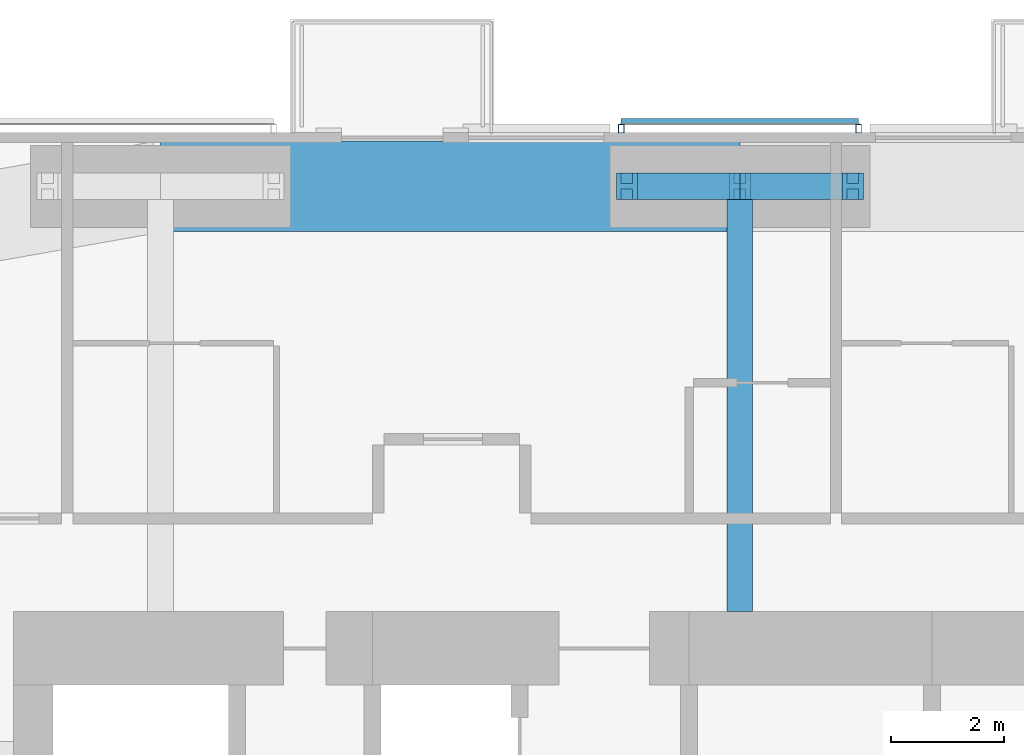
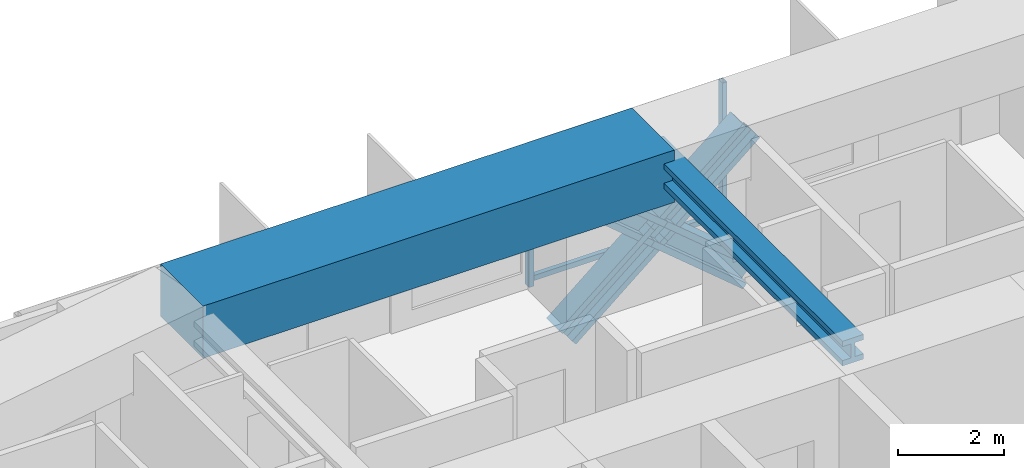
# One storey, part 11 of 22: 7 members, 2 beams, 1 element without a shape of its own.
"""IFC4 building model written with IfcOpenShell, lengths in metres."""

from ifc_helpers import new_model, si_unit, direction, frame, origin, origin_2d, place, context, subcontext, project, spatial, rectangle, hollow_rectangle, i_section, extrude, material, material_profile, profile_set, type_object, element, aggregate, save


model = new_model("IFC4")

# Units and contexts
model_context = context("Model", 3, precision=1e-05, world=origin(), true_north=direction((0.0, 1.0)))
body_context = subcontext(model_context, "Body", "Model", "MODEL_VIEW")
ifc_project = project(units=[si_unit("LENGTHUNIT", "METRE"), si_unit("AREAUNIT", "SQUARE_METRE"), si_unit("VOLUMEUNIT", "CUBIC_METRE"), si_unit("PLANEANGLEUNIT", "RADIAN"), si_unit("MASSUNIT", "GRAM", prefix="KILO")], contexts=[model_context])

# Site, building, storey
site_placement = place(None, origin())
site = spatial("IfcSite", under=ifc_project, at=site_placement, CompositionType="ELEMENT")
building_placement = place(site_placement, origin())
building = spatial("IfcBuilding", under=site, at=building_placement, Name="Jalousie Tower", CompositionType="ELEMENT")
storey_placement = place(building_placement, frame((0.0, 0.0, 161.050048828125)))
storey = spatial("IfcBuildingStorey", under=building, at=storey_placement, Name="L43", CompositionType="ELEMENT", Elevation=161.050048828125)

# Beam
ifc_material_1 = material(Name="Steel ASTM A992 Grade 50", Category="steel")
ifc_material_profile_1 = material_profile(ifc_material_1, i_section(OverallWidth=0.45458984375, OverallDepth=0.569091796875, WebThickness=0.077880859375, FlangeThickness=0.124755859375, at=origin_2d()), Name="W14X730")
ifc_profile_set_1 = profile_set([ifc_material_profile_1], Name="Steel ASTM A992 Grade 50")
beam_type_1 = type_object("IfcBeamType", Name="LEAN COLLECTOR W14X730", PredefinedType="BEAM", material=ifc_profile_set_1)
beam_1_placement = place(storey_placement, frame((32.5, 35.050048828125, 2.825439453125), z_axis=(0.0, -1.0, 0.0), x_axis=(1.0, 0.0, 0.0)))
element("IfcBeam", 1, at=beam_1_placement, inside=storey, type_object=beam_type_1, Name="Lean collector under L44", PredefinedType="BEAM", context=body_context, shape_type="SweptSolid", body=[
    extrude(i_section(OverallWidth=0.45458984375, OverallDepth=0.569091796875, WebThickness=0.077880859375, FlangeThickness=0.124755859375, at=origin_2d()), origin(), (0.0, 0.0, 1.0), 7.525146484375),
])

# Members
ifc_material_2 = material(Name="Steel ASTM A992 Grade 50", Category="steel")
ifc_material_profile_2 = material_profile(ifc_material_2, i_section(OverallWidth=0.472412109375, OverallDepth=0.5791015625, WebThickness=0.094970703125, FlangeThickness=0.1298828125, at=origin_2d()), Name="W14X808")
ifc_profile_set_2 = profile_set([ifc_material_profile_2], Name="Steel ASTM A992 Grade 50")
member_type_1 = type_object("IfcMemberType", Name="PERIMETER BRACE W14X808", PredefinedType="BRACE", material=ifc_profile_set_2)
for number, where, z_axis, x_axis, name in (
    (2, (30.5, 35.050048828125, -0.60009765625), (0.766638753323, 0.0, 0.642078672674), (0.0, 1.0, 0.0), "Perimeter brace 10 L43 part 1"),
    (3, (32.5, 35.050048828125, 1.074951171875), (0.766638753323, 0.0, 0.642078672674), (0.0, 1.0, 0.0), "Perimeter brace 10 L43 part 2"),
    (4, (34.5, 35.050048828125, -0.60009765625), (-0.766638753323, 0.0, 0.642078672674), (0.0, -1.0, 0.0), "Perimeter brace 10 L43 part 3"),
    (5, (32.5, 35.050048828125, 1.074951171875), (-0.766638753323, 0.0, 0.642078672674), (0.0, -1.0, 0.0), "Perimeter brace 10 L43 part 4"),
):
    element("IfcMember", number, at=place(storey_placement, frame(where, z_axis=z_axis, x_axis=x_axis)), inside=storey, type_object=member_type_1, Name=name, PredefinedType="BRACE", context=body_context, shape_type="SweptSolid", body=[
        extrude(i_section(OverallWidth=0.472412109375, OverallDepth=0.5791015625, WebThickness=0.094970703125, FlangeThickness=0.1298828125, at=origin_2d()), origin(), (0.0, 0.0, 1.0), 2.60888671875),
    ])

# Beam
ifc_material_3 = material(Name="Concrete f'c 40 MPa", Category="concrete")
ifc_material_profile_3 = material_profile(ifc_material_3, rectangle(XDim=1.60009765625, YDim=1.199951171875, at=origin_2d()), Name="RC 1600x1200")
ifc_profile_set_3 = profile_set([ifc_material_profile_3], Name="Concrete f'c 40 MPa")
beam_type_2 = type_object("IfcBeamType", Name="RC BEAM 1600x1200", PredefinedType="BEAM", material=ifc_profile_set_3)
beam_2_placement = place(storey_placement, frame((32.5, 35.050048828125, 2.75), z_axis=(-1.0, 0.0, 0.0), x_axis=(0.0, -1.0, 0.0)))
element("IfcBeam", 6, at=beam_2_placement, inside=storey, type_object=beam_type_2, Name="Edge band beam 10-11 under L44", PredefinedType="BEAM", context=body_context, shape_type="SweptSolid", body=[
    extrude(rectangle(XDim=1.60009765625, YDim=1.199951171875, at=origin_2d()), origin(), (0.0, 0.0, 1.0), 10.25),
])

# Curtain wall, members
ifc_material_4 = material(Name="Perforated aluminium sheet", Category="aluminium")
curtain_wall_type = type_object("IfcCurtainWallType", Name="SOLAR SCREEN SS-1", PredefinedType="USERDEFINED", material=ifc_material_4)
curtain_wall_placement = place(storey_placement, origin())
curtain_wall = element("IfcCurtainWall", 7, at=curtain_wall_placement, inside=storey, type_object=curtain_wall_type, Name="Solar screen L43", ObjectType="SOLAR SCREEN SS-1", PredefinedType="USERDEFINED")
ifc_material_5 = material(Name="Steel ASTM A500 Grade C", Category="steel")
ifc_material_profile_4 = material_profile(ifc_material_5, hollow_rectangle(XDim=0.1015625, YDim=0.15234375, WallThickness=0.00634765625, at=origin_2d()), Name="HSS6X4X1/4")
ifc_profile_set_4 = profile_set([ifc_material_profile_4], Name="Steel ASTM A500 Grade C")
member_type_2 = type_object("IfcMemberType", Name="SOLAR SCREEN SS-1 MULLION", PredefinedType="MULLION", material=ifc_profile_set_4)
member_1_placement = place(storey_placement, frame((34.60009765625, 36.0712890625, -0.1201171875), z_axis=(0.0, 0.0, 1.0), x_axis=(-1.0, 0.0, 0.0)))
member_1 = element("IfcMember", 8, at=member_1_placement, type_object=member_type_2, Name="SS1 post 1", PredefinedType="MULLION", context=body_context, shape_type="SweptSolid", body=[
    extrude(hollow_rectangle(XDim=0.1015625, YDim=0.15234375, WallThickness=0.00634765625, at=origin_2d()), origin(), (0.0, 0.0, 1.0), 3.22998046875),
])
member_2_placement = place(storey_placement, frame((30.39990234375, 36.0712890625, -0.1201171875), z_axis=(0.0, 0.0, 1.0), x_axis=(-1.0, 0.0, 0.0)))
member_2 = element("IfcMember", 9, at=member_2_placement, type_object=member_type_2, Name="SS1 post 2", PredefinedType="MULLION", context=body_context, shape_type="SweptSolid", body=[
    extrude(hollow_rectangle(XDim=0.1015625, YDim=0.15234375, WallThickness=0.00634765625, at=origin_2d()), origin(), (0.0, 0.0, 1.0), 3.22998046875),
])
ifc_material_6 = material(Name="Extruded aluminium screen rail", Category="aluminium")
ifc_material_profile_5 = material_profile(ifc_material_6, rectangle(XDim=0.1015625, YDim=0.1201171875, at=origin_2d()), Name="RAIL 102x120")
ifc_profile_set_5 = profile_set([ifc_material_profile_5], Name="Extruded aluminium screen rail")
member_type_3 = type_object("IfcMemberType", Name="SOLAR SCREEN SS-1 TRANSOM", PredefinedType="USERDEFINED", material=ifc_profile_set_5)
member_3_placement = place(storey_placement, frame((34.60009765625, 36.1982421875, -0.06005859375), z_axis=(-1.0, 0.0, 0.0), x_axis=(0.0, -1.0, 0.0)))
member_3 = element("IfcMember", 10, at=member_3_placement, type_object=member_type_3, Name="SS1 rail", ObjectType="TRANSOM", PredefinedType="USERDEFINED", context=body_context, shape_type="SweptSolid", body=[
    extrude(rectangle(XDim=0.1015625, YDim=0.1201171875, at=origin_2d()), origin(), (0.0, 0.0, 1.0), 4.2001953125),
])
aggregate(curtain_wall, [member_1, member_2, member_3])

save(model, "model.ifc")
